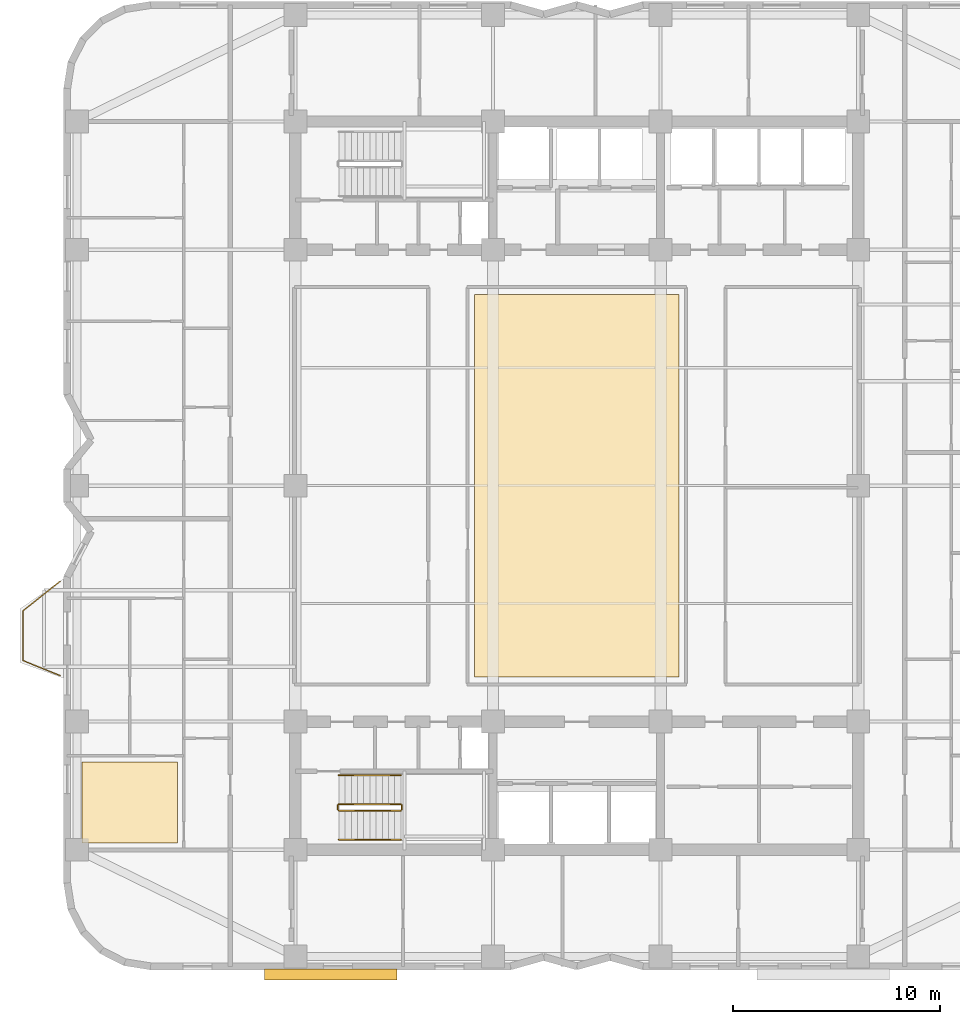
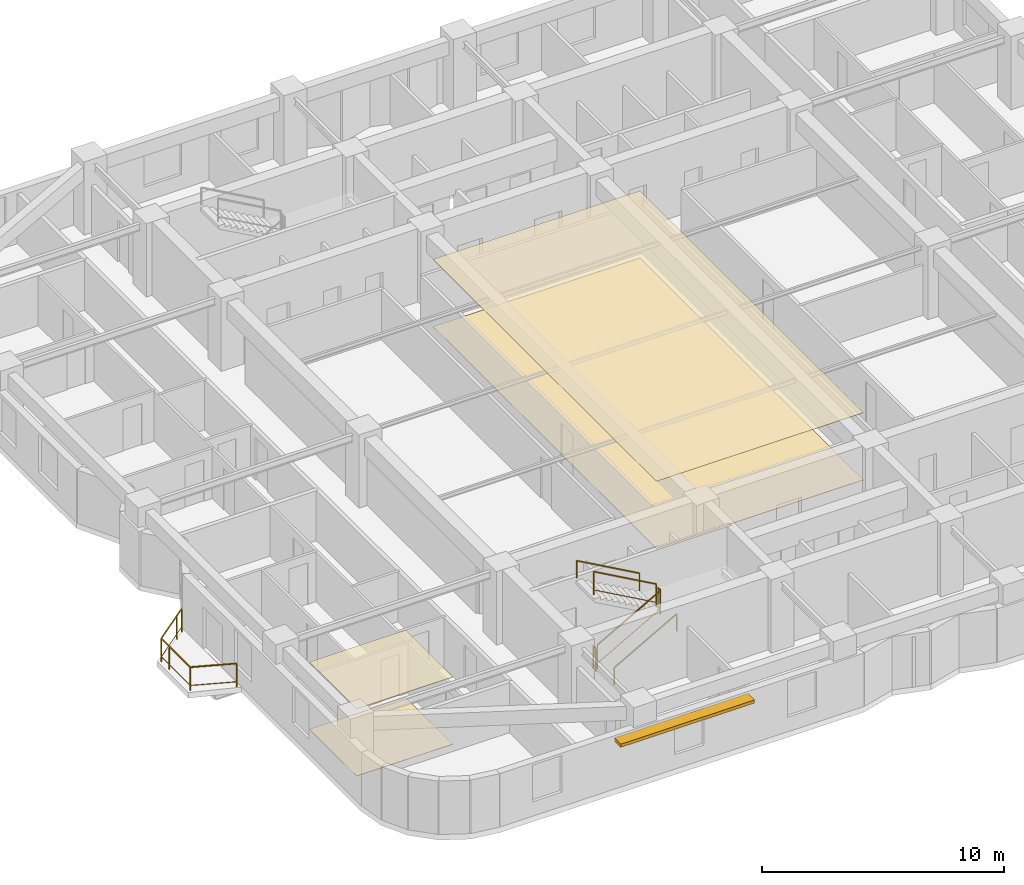
# One storey, part 8 of 10: 7 railings, 4 coverings, 1 shading device.
"""IFC4 building model written with IfcOpenShell, lengths in metres."""

from ifc_helpers import new_model, si_unit, direction, frame, origin, origin_2d, place, context, subcontext, project, spatial, polyline, rectangle, outline, extrude, material, layer, layer_set, type_object, element, save


model = new_model("IFC4")

# Units and contexts
model_context = context("Model", 3, precision=1e-05, world=origin(), true_north=direction((0.0, 1.0)))
body_context = subcontext(model_context, "Body", "Model", "MODEL_VIEW")
ifc_project = project(units=[si_unit("LENGTHUNIT", "METRE"), si_unit("AREAUNIT", "SQUARE_METRE"), si_unit("VOLUMEUNIT", "CUBIC_METRE"), si_unit("PLANEANGLEUNIT", "RADIAN"), si_unit("MASSUNIT", "GRAM", prefix="KILO")], contexts=[model_context])

# Site, building, storey
site_placement = place(None, origin())
site = spatial("IfcSite", under=ifc_project, at=site_placement, CompositionType="ELEMENT")
building_placement = place(site_placement, origin())
building = spatial("IfcBuilding", under=site, at=building_placement, Name="Svetorya Sky Lyceum", CompositionType="ELEMENT")
storey_placement = place(building_placement, frame((0.0, 0.0, 129.0)))
storey = spatial("IfcBuildingStorey", under=building, at=storey_placement, Name="L32", CompositionType="ELEMENT", Elevation=129.0)

# Coverings
ifc_material_1 = material(Name="Mineral-fibre classroom acoustic ceiling tile")
ifc_layer_1 = layer(ifc_material_1, 0.02392578125)
ifc_layer_set_1 = layer_set([ifc_layer_1], Name="Mineral-fibre classroom acoustic ceiling tile")
covering_type_1 = type_object("IfcCoveringType", Name="COV-CLG-AC24", PredefinedType="CEILING", material=ifc_layer_set_1)
covering_1_placement = place(storey_placement, frame((0.0, 0.0, 3.39599609375)))
element("IfcCovering", 1, at=covering_1_placement, inside=storey, type_object=covering_type_1, Name="Wellness Hall L32 Island Acoustic Ceiling", PredefinedType="CEILING", context=body_context, shape_type="SweptSolid", body=[
    extrude(outline(polyline([(34.25, 18.949951171875), (44.14990234375, 18.949951171875), (44.14990234375, 37.449951171875), (34.25, 37.449951171875), (34.25, 18.949951171875)])), origin(), (0.0, 0.0, 1.0), 0.02392578125),
])
covering_2_placement = place(storey_placement, frame((0.0, 0.0, 3.39599609375)))
element("IfcCovering", 2, at=covering_2_placement, inside=storey, type_object=covering_type_1, Name="Apartment W1 Living Room Acoustic Ceiling", PredefinedType="CEILING", context=body_context, shape_type="SweptSolid", body=[
    extrude(outline(polyline([(15.2880859375, 10.929931640625), (19.889892578125, 10.929931640625), (19.889892578125, 14.840087890625), (15.2880859375, 14.840087890625), (15.2880859375, 10.929931640625)])), origin(), (0.0, 0.0, 1.0), 0.02392578125),
])
ifc_material_2 = material(Name="Engineered Nordic oak parquet flooring")
ifc_layer_2 = layer(ifc_material_2, 0.02197265625)
ifc_layer_set_2 = layer_set([ifc_layer_2], Name="Engineered Nordic oak parquet flooring")
covering_type_2 = type_object("IfcCoveringType", Name="COV-FLR-OAK", PredefinedType="FLOORING", material=ifc_layer_set_2)
covering_3_placement = place(storey_placement, origin())
element("IfcCovering", 3, at=covering_3_placement, inside=storey, type_object=covering_type_2, Name="Wellness Hall L32 Island Architectural Flooring", PredefinedType="FLOORING", context=body_context, shape_type="SweptSolid", body=[
    extrude(outline(polyline([(34.25, 18.949951171875), (44.14990234375, 18.949951171875), (44.14990234375, 37.449951171875), (34.25, 37.449951171875), (34.25, 18.949951171875)])), origin(), (0.0, 0.0, 1.0), 0.02197265625),
])
covering_4_placement = place(storey_placement, origin())
element("IfcCovering", 4, at=covering_4_placement, inside=storey, type_object=covering_type_2, Name="Apartment W1 Living Room Architectural Flooring", PredefinedType="FLOORING", context=body_context, shape_type="SweptSolid", body=[
    extrude(outline(polyline([(15.2880859375, 10.929931640625), (19.889892578125, 10.929931640625), (19.889892578125, 14.840087890625), (15.2880859375, 14.840087890625), (15.2880859375, 10.929931640625)])), origin(), (0.0, 0.0, 1.0), 0.02197265625),
])

# Railings
ifc_material_3 = material(Name="Laminated safety glass and stainless AISI 316", Category="glass")
railing_type_1 = type_object("IfcRailingType", Name="RL-BAL-1200", PredefinedType="BALUSTRADE", material=ifc_material_3)
railing_1_placement = place(storey_placement, frame((14.22998046875, 19.02001953125, 0.0)))
element("IfcRailing", 5, at=railing_1_placement, inside=storey, type_object=railing_type_1, Name="L32 Balcony Balustrade BAL-W1", PredefinedType="BALUSTRADE", context=body_context, shape_type="SweptSolid", body=[
    extrude(rectangle(XDim=0.048095703125, YDim=0.048095703125, at=origin_2d()), frame((0.0, 0.0, 1.17578125), z_axis=(-0.926697865975, 0.375807218129, 0.0), x_axis=(-0.375807218129, -0.926697865975, 0.0)), (0.0, 0.0, 1.0), 1.9423828125),
    extrude(rectangle(XDim=0.02392578125, YDim=0.02392578125, at=origin_2d()), frame((0.0, 0.0, 0.25), z_axis=(-0.926697865975, 0.375807218129, 0.0), x_axis=(-0.375807218129, -0.926697865975, 0.0)), (0.0, 0.0, 1.0), 1.9423828125),
    extrude(rectangle(XDim=0.048095703125, YDim=0.048095703125, at=origin_2d()), frame((-1.800048828125, 0.72998046875, 1.17578125), z_axis=(0.0, 1.0, 0.0), x_axis=(-1.0, 0.0, 0.0)), (0.0, 0.0, 1.0), 2.39990234375),
    extrude(rectangle(XDim=0.02392578125, YDim=0.02392578125, at=origin_2d()), frame((-1.800048828125, 0.72998046875, 0.25), z_axis=(0.0, 1.0, 0.0), x_axis=(-1.0, 0.0, 0.0)), (0.0, 0.0, 1.0), 2.39990234375),
    extrude(rectangle(XDim=0.048095703125, YDim=0.048095703125, at=origin_2d()), frame((-1.800048828125, 3.1298828125, 1.17578125), z_axis=(0.782957196596, 0.622075580857, 0.0), x_axis=(-0.622075580857, 0.782957196596, 0.0)), (0.0, 0.0, 1.0), 2.299072265625),
    extrude(rectangle(XDim=0.02392578125, YDim=0.02392578125, at=origin_2d()), frame((-1.800048828125, 3.1298828125, 0.25), z_axis=(0.782957196596, 0.622075580857, 0.0), x_axis=(-0.622075580857, 0.782957196596, 0.0)), (0.0, 0.0, 1.0), 2.299072265625),
    extrude(rectangle(XDim=0.0419921875, YDim=0.0419921875, at=origin_2d()), origin(), (0.0, 0.0, 1.0), 1.15185546875),
    extrude(rectangle(XDim=0.0419921875, YDim=0.0419921875, at=origin_2d()), frame((-1.800048828125, 0.72998046875, 0.0)), (0.0, 0.0, 1.0), 1.15185546875),
    extrude(rectangle(XDim=0.0419921875, YDim=0.0419921875, at=origin_2d()), frame((-1.800048828125, 2.47998046875, 0.0)), (0.0, 0.0, 1.0), 1.15185546875),
    extrude(rectangle(XDim=0.0419921875, YDim=0.0419921875, at=origin_2d()), frame((-1.800048828125, 3.1298828125, 0.0)), (0.0, 0.0, 1.0), 1.15185546875),
    extrude(rectangle(XDim=0.0419921875, YDim=0.0419921875, at=origin_2d()), frame((-0.429931640625, 4.218505859375, 0.0)), (0.0, 0.0, 1.0), 1.15185546875),
    extrude(rectangle(XDim=0.0419921875, YDim=0.0419921875, at=origin_2d()), frame((0.0, 4.56005859375, 0.0)), (0.0, 0.0, 1.0), 1.15185546875),
])
ifc_material_4 = material(Name="Painted galvanized stair well guard")
railing_type_2 = type_object("IfcRailingType", Name="RL-STR-GUARD-1200", PredefinedType="GUARDRAIL", material=ifc_material_4)
railing_2_placement = place(storey_placement, frame((27.699951171875, 12.5, 0.168212890625)))
element("IfcRailing", 6, at=railing_2_placement, inside=storey, type_object=railing_type_2, Name="L32 ST-S stair guard 1", PredefinedType="GUARDRAIL", context=body_context, shape_type="SweptSolid", body=[
    extrude(rectangle(XDim=0.048095703125, YDim=0.048095703125, at=origin_2d()), frame((0.0, 0.0, 1.17578125), z_axis=(0.872272294576, 0.0, 0.489020494575), x_axis=(0.0, 1.0, 0.0)), (0.0, 0.0, 1.0), 3.439208984375),
    extrude(rectangle(XDim=0.02392578125, YDim=0.02392578125, at=origin_2d()), frame((0.0, 0.0, 0.25), z_axis=(0.872272294576, 0.0, 0.489020494575), x_axis=(0.0, 1.0, 0.0)), (0.0, 0.0, 1.0), 3.439208984375),
    extrude(rectangle(XDim=0.0419921875, YDim=0.0419921875, at=origin_2d()), origin(), (0.0, 0.0, 1.0), 1.15185546875),
    extrude(rectangle(XDim=0.0419921875, YDim=0.0419921875, at=origin_2d()), frame((3.0, 0.0, 1.681884765625)), (0.0, 0.0, 1.0), 1.15185546875),
])
railing_3_placement = place(storey_placement, frame((30.75, 12.550048828125, 1.85009765625)))
element("IfcRailing", 7, at=railing_3_placement, inside=storey, type_object=railing_type_2, Name="L32 ST-S stair guard 2", PredefinedType="GUARDRAIL", context=body_context, shape_type="SweptSolid", body=[
    extrude(rectangle(XDim=0.048095703125, YDim=0.048095703125, at=origin_2d()), frame((0.0, 0.0, 1.17578125), z_axis=(0.0, 1.0, 0.0), x_axis=(-1.0, 0.0, 0.0)), (0.0, 0.0, 1.0), 0.199951171875),
    extrude(rectangle(XDim=0.02392578125, YDim=0.02392578125, at=origin_2d()), frame((0.0, 0.0, 0.25), z_axis=(0.0, 1.0, 0.0), x_axis=(-1.0, 0.0, 0.0)), (0.0, 0.0, 1.0), 0.199951171875),
    extrude(rectangle(XDim=0.0419921875, YDim=0.0419921875, at=origin_2d()), origin(), (0.0, 0.0, 1.0), 1.15185546875),
    extrude(rectangle(XDim=0.0419921875, YDim=0.0419921875, at=origin_2d()), frame((0.0, 0.199951171875, 0.0)), (0.0, 0.0, 1.0), 1.15185546875),
])
railing_4_placement = place(storey_placement, frame((30.699951171875, 12.800048828125, 2.01806640625)))
element("IfcRailing", 8, at=railing_4_placement, inside=storey, type_object=railing_type_2, Name="L32 ST-S stair guard 3", PredefinedType="GUARDRAIL", context=body_context, shape_type="SweptSolid", body=[
    extrude(rectangle(XDim=0.048095703125, YDim=0.048095703125, at=origin_2d()), frame((0.0, 0.0, 1.17578125), z_axis=(-0.872272294576, 0.0, 0.489020494575), x_axis=(0.0, -1.0, 0.0)), (0.0, 0.0, 1.0), 3.439208984375),
    extrude(rectangle(XDim=0.02392578125, YDim=0.02392578125, at=origin_2d()), frame((0.0, 0.0, 0.25), z_axis=(-0.872272294576, 0.0, 0.489020494575), x_axis=(0.0, -1.0, 0.0)), (0.0, 0.0, 1.0), 3.439208984375),
    extrude(rectangle(XDim=0.0419921875, YDim=0.0419921875, at=origin_2d()), origin(), (0.0, 0.0, 1.0), 1.15185546875),
    extrude(rectangle(XDim=0.0419921875, YDim=0.0419921875, at=origin_2d()), frame((-3.0, 0.0, 1.681884765625)), (0.0, 0.0, 1.0), 1.15185546875),
])
railing_5_placement = place(storey_placement, frame((27.64990234375, 12.550048828125, 0.0)))
element("IfcRailing", 9, at=railing_5_placement, inside=storey, type_object=railing_type_2, Name="L32 ST-S stair guard 4", PredefinedType="GUARDRAIL", context=body_context, shape_type="SweptSolid", body=[
    extrude(rectangle(XDim=0.048095703125, YDim=0.048095703125, at=origin_2d()), frame((0.0, 0.0, 1.17578125), z_axis=(0.0, 1.0, 0.0), x_axis=(-1.0, 0.0, 0.0)), (0.0, 0.0, 1.0), 0.199951171875),
    extrude(rectangle(XDim=0.02392578125, YDim=0.02392578125, at=origin_2d()), frame((0.0, 0.0, 0.25), z_axis=(0.0, 1.0, 0.0), x_axis=(-1.0, 0.0, 0.0)), (0.0, 0.0, 1.0), 0.199951171875),
    extrude(rectangle(XDim=0.0419921875, YDim=0.0419921875, at=origin_2d()), origin(), (0.0, 0.0, 1.0), 1.15185546875),
    extrude(rectangle(XDim=0.0419921875, YDim=0.0419921875, at=origin_2d()), frame((0.0, 0.199951171875, 0.0)), (0.0, 0.0, 1.0), 1.15185546875),
])
ifc_material_5 = material(Name="Brushed stainless AISI 304 stair handrail")
railing_type_3 = type_object("IfcRailingType", Name="RL-STR-HAND-920", PredefinedType="HANDRAIL", material=ifc_material_5)
railing_6_placement = place(storey_placement, frame((27.699951171875, 11.10009765625, 0.168212890625)))
element("IfcRailing", 10, at=railing_6_placement, inside=storey, type_object=railing_type_3, Name="L32 ST-S stair handrail 1", PredefinedType="HANDRAIL", context=body_context, shape_type="SweptSolid", body=[
    extrude(rectangle(XDim=0.048095703125, YDim=0.048095703125, at=origin_2d()), frame((0.0, 0.0, 0.8759765625), z_axis=(0.872272294576, 0.0, 0.489020494575), x_axis=(0.0, 1.0, 0.0)), (0.0, 0.0, 1.0), 3.439208984375),
    extrude(rectangle(XDim=0.0419921875, YDim=0.0419921875, at=origin_2d()), origin(), (0.0, 0.0, 1.0), 0.851806640625),
    extrude(rectangle(XDim=0.0419921875, YDim=0.0419921875, at=origin_2d()), frame((3.0, 0.0, 1.681884765625)), (0.0, 0.0, 1.0), 0.851806640625),
])
railing_7_placement = place(storey_placement, frame((30.699951171875, 14.199951171875, 2.01806640625)))
element("IfcRailing", 11, at=railing_7_placement, inside=storey, type_object=railing_type_3, Name="L32 ST-S stair handrail 2", PredefinedType="HANDRAIL", context=body_context, shape_type="SweptSolid", body=[
    extrude(rectangle(XDim=0.048095703125, YDim=0.048095703125, at=origin_2d()), frame((0.0, 0.0, 0.8759765625), z_axis=(-0.872272294576, 0.0, 0.489020494575), x_axis=(0.0, -1.0, 0.0)), (0.0, 0.0, 1.0), 3.439208984375),
    extrude(rectangle(XDim=0.0419921875, YDim=0.0419921875, at=origin_2d()), origin(), (0.0, 0.0, 1.0), 0.851806640625),
    extrude(rectangle(XDim=0.0419921875, YDim=0.0419921875, at=origin_2d()), frame((-3.0, 0.0, 1.681884765625)), (0.0, 0.0, 1.0), 0.851806640625),
])

# Shading device
ifc_material_6 = material(Name="Champagne-anodized extruded aluminium sunshade", Category="aluminium")
ifc_layer_3 = layer(ifc_material_6, 0.159912109375)
ifc_layer_set_3 = layer_set([ifc_layer_3], Name="Champagne-anodized extruded aluminium sunshade")
shading_device_type = type_object("IfcShadingDeviceType", Name="SHD-LVR-540", PredefinedType="AWNING", material=ifc_layer_set_3)
shading_device_placement = place(storey_placement, frame((27.300048828125, 4.580078125, 2.39990234375), z_axis=(0.0, 0.0, 1.0), x_axis=(1.0, 0.0, 0.0)))
element("IfcShadingDevice", 12, at=shading_device_placement, inside=storey, type_object=shading_device_type, Name="L32 Solar Brise-Soleil SHD-1.6M", PredefinedType="AWNING", context=body_context, shape_type="SweptSolid", body=[
    extrude(rectangle(XDim=6.39990234375, YDim=0.5400390625, at=origin_2d()), origin(), (0.0, 0.0, 1.0), 0.159912109375),
])

save(model, "model.ifc")
